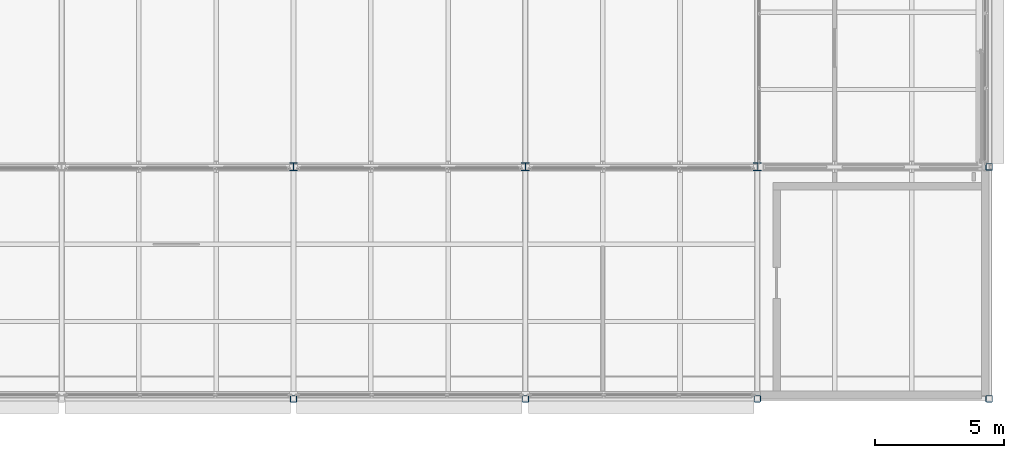
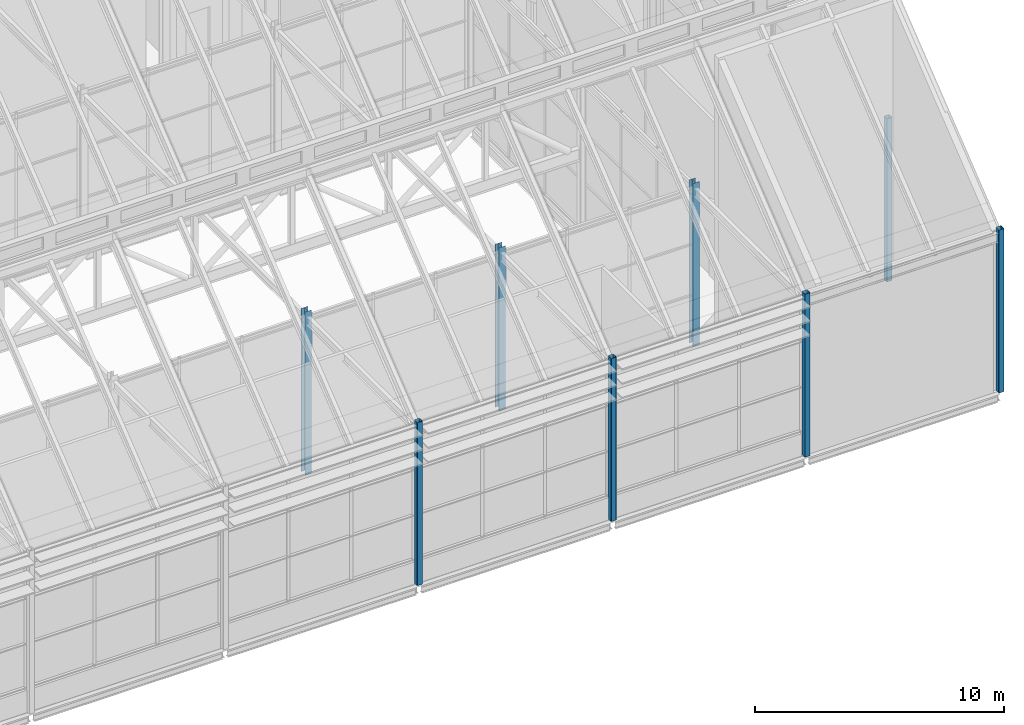
# One storey, part 3 of 144: 8 columns.
"""IFC4 building model written with IfcOpenShell, lengths in metres."""

from ifc_helpers import new_model, si_unit, direction, frame, origin, origin_2d, place, context, subcontext, project, spatial, hollow_rectangle, i_section, extrude, material, material_profile, profile_set, type_object, element, save


model = new_model("IFC4")

# Units and contexts
model_context = context("Model", 3, precision=1e-05, world=origin(), true_north=direction((0.0, 1.0)))
body_context = subcontext(model_context, "Body", "Model", "MODEL_VIEW")
ifc_project = project(units=[si_unit("LENGTHUNIT", "METRE"), si_unit("AREAUNIT", "SQUARE_METRE"), si_unit("VOLUMEUNIT", "CUBIC_METRE"), si_unit("PLANEANGLEUNIT", "RADIAN"), si_unit("MASSUNIT", "GRAM", prefix="KILO")], contexts=[model_context])

# Site, building, storey
site_placement = place(None, origin())
site = spatial("IfcSite", under=ifc_project, at=site_placement, CompositionType="ELEMENT")
building_placement = place(site_placement, origin())
building = spatial("IfcBuilding", under=site, at=building_placement, Name="Shorebreak Coast Museum", CompositionType="ELEMENT")
storey_placement = place(building_placement, frame((0.0, 0.0, 36.0)))
storey = spatial("IfcBuildingStorey", under=building, at=storey_placement, Name="L06", CompositionType="ELEMENT", Elevation=36.0)

# Columns
ifc_material_1 = material(Name="Steel Grade C450L0", Category="steel")
ifc_material_profile_1 = material_profile(ifc_material_1, hollow_rectangle(XDim=0.25, YDim=0.25, WallThickness=0.009033203125, InnerFilletRadius=0.013427734375, OuterFilletRadius=0.0224609375, at=origin_2d()), Name="250x250x9.0 SHS")
ifc_profile_set_1 = profile_set([ifc_material_profile_1], Name="Steel Grade C450L0")
column_type_1 = type_object("IfcColumnType", Name="Column 250x250x9.0 SHS", PredefinedType="COLUMN", material=ifc_profile_set_1)
for number, where, z_axis, x_axis, name in (
    (1, (90.0, 54.0, 0.0), (0.0, 0.0, 1.0), (1.0, 0.0, 0.0), "Column L06 11G"),
    (2, (99.0, 54.0, 0.0), (0.0, 0.0, 1.0), (1.0, 0.0, 0.0), "Column L06 12G"),
    (3, (108.0, 54.0, 0.0), (0.0, 0.0, 1.0), (1.0, 0.0, 0.0), "Column L06 13G"),
    (4, (117.0, 54.0, 0.0), (0.0, 0.0, 1.0), (1.0, 0.0, 0.0), "Column L06 14G"),
    (5, (117.0, 63.0, 0.0), (0.0, 0.0, 1.0), (1.0, 0.0, 0.0), "Column L06 14H"),
):
    element("IfcColumn", number, at=place(storey_placement, frame(where, z_axis=z_axis, x_axis=x_axis)), inside=storey, type_object=column_type_1, Name=name, PredefinedType="COLUMN", context=body_context, shape_type="SweptSolid", body=[
        extrude(hollow_rectangle(XDim=0.25, YDim=0.25, WallThickness=0.009033203125, InnerFilletRadius=0.013427734375, OuterFilletRadius=0.0224609375, at=origin_2d()), origin(), (0.0, 0.0, 1.0), 8.0),
    ])
ifc_material_2 = material(Name="Steel Grade 300", Category="steel")
ifc_material_profile_2 = material_profile(ifc_material_2, i_section(OverallWidth=0.306884765625, OverallDepth=0.314697265625, WebThickness=0.011962890625, FlangeThickness=0.018798828125, FilletRadius=0.0166015625, at=origin_2d()), Name="310UC118")
ifc_profile_set_2 = profile_set([ifc_material_profile_2], Name="Steel Grade 300")
column_type_2 = type_object("IfcColumnType", Name="Column 310UC118", PredefinedType="COLUMN", material=ifc_profile_set_2)
for number, where, z_axis, x_axis, name in (
    (6, (90.0, 63.0, 0.0), (0.0, 0.0, 1.0), (1.0, 0.0, 0.0), "Column L06 11H"),
    (7, (99.0, 63.0, 0.0), (0.0, 0.0, 1.0), (1.0, 0.0, 0.0), "Column L06 12H"),
    (8, (108.0, 63.0, 0.0), (0.0, 0.0, 1.0), (1.0, 0.0, 0.0), "Column L06 13H"),
):
    element("IfcColumn", number, at=place(storey_placement, frame(where, z_axis=z_axis, x_axis=x_axis)), inside=storey, type_object=column_type_2, Name=name, PredefinedType="COLUMN", context=body_context, shape_type="SweptSolid", body=[
        extrude(i_section(OverallWidth=0.306884765625, OverallDepth=0.314697265625, WebThickness=0.011962890625, FlangeThickness=0.018798828125, FilletRadius=0.0166015625, at=origin_2d()), origin(), (0.0, 0.0, 1.0), 8.0),
    ])

save(model, "model.ifc")
